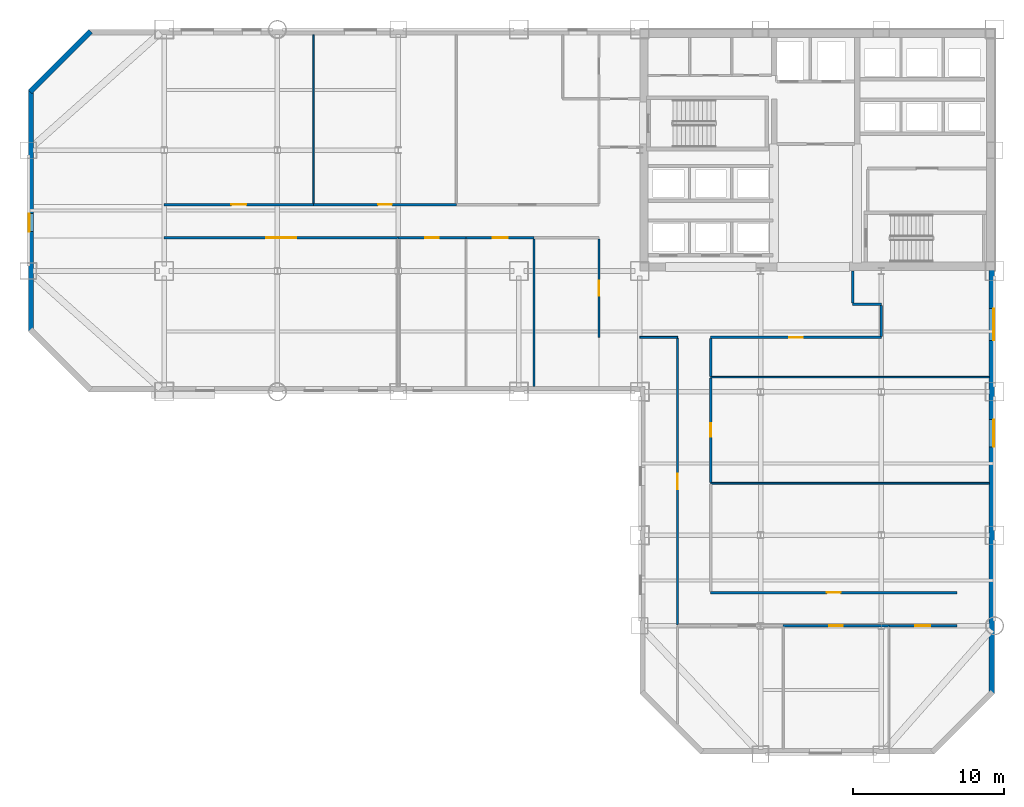
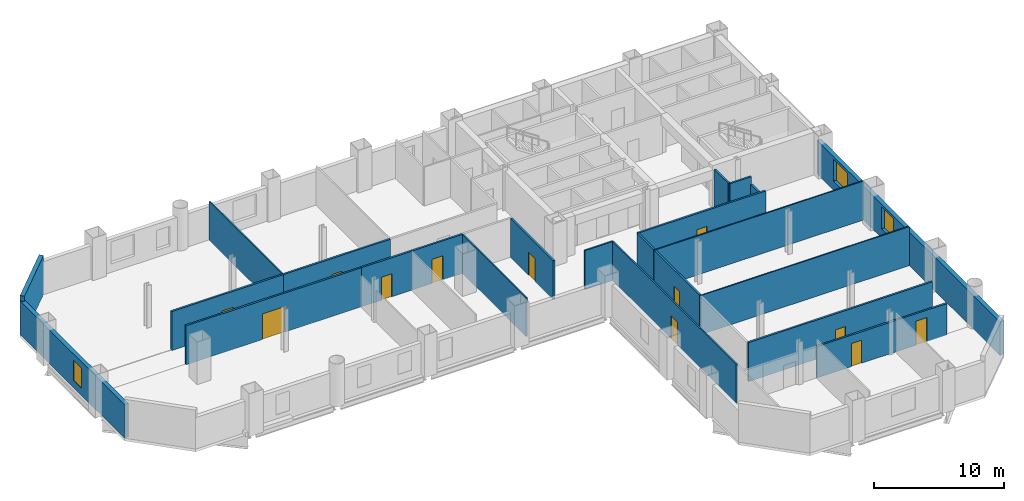
# One storey, part 5 of 9: 24 walls, 12 doors, 3 windows, 15 openings.
"""IFC4 building model written with IfcOpenShell, lengths in metres."""

from ifc_helpers import new_model, si_unit, direction, frame, frame_2d, origin, place, context, subcontext, project, spatial, rectangle, extrude, material, layer, layer_set, type_object, element, fill, save


model = new_model("IFC4")

# Units and contexts
model_context = context("Model", 3, precision=1e-05, world=origin(), true_north=direction((0.0, 1.0)))
body_context = subcontext(model_context, "Body", "Model", "MODEL_VIEW")
ifc_project = project(units=[si_unit("LENGTHUNIT", "METRE"), si_unit("AREAUNIT", "SQUARE_METRE"), si_unit("VOLUMEUNIT", "CUBIC_METRE"), si_unit("PLANEANGLEUNIT", "RADIAN"), si_unit("MASSUNIT", "GRAM", prefix="KILO")], contexts=[model_context])

# Site, building, storey
site_placement = place(None, origin())
site = spatial("IfcSite", under=ifc_project, at=site_placement, CompositionType="ELEMENT")
building_placement = place(site_placement, origin())
building = spatial("IfcBuilding", under=site, at=building_placement, Name="Qianrong Seaharbour Tower", CompositionType="ELEMENT")
storey_placement = place(building_placement, frame((0.0, 0.0, 104.199951171875)))
storey = spatial("IfcBuildingStorey", under=building, at=storey_placement, Name="L25", CompositionType="ELEMENT", Elevation=104.199951171875)

# Wall, opening, door
ifc_material_1 = material(Name="Fire-rated acoustic gypsum board partition")
ifc_layer_1 = layer(ifc_material_1, 0.1650390625)
ifc_layer_set_1 = layer_set([ifc_layer_1], Name="Fire-rated acoustic gypsum board partition")
wall_type_1 = type_object("IfcWallType", Name="WALL-CORR-PART-165", PredefinedType="PARTITIONING", material=ifc_layer_set_1)
wall_1_placement = place(storey_placement, frame((9.0, 40.39990234375, 0.0), z_axis=(0.0, 0.0, 1.0), x_axis=(1.0, 0.0, 0.0)))
wall_1 = element("IfcWall", 1, at=wall_1_placement, inside=storey, type_object=wall_type_1, Name="L25 Interior Partition Wall 015", PredefinedType="PARTITIONING", context=body_context, shape_type="SweptSolid", body=[
    extrude(rectangle(XDim=9.89990234375, YDim=0.1650390625, at=frame_2d((4.949951171875, 0.0))), origin(), (0.0, 0.0, 1.0), 3.650146484375),
])
opening_1_placement = place(wall_1_placement, frame((4.449951171875, 0.0, 0.0)))
opening_1 = element("IfcOpeningElement", 2, at=opening_1_placement, cuts=wall_1, Name="Opening DO-01", PredefinedType="OPENING", context=body_context, shape_type="SweptSolid", body=[
    extrude(rectangle(XDim=1.0, YDim=2.14990234375, at=frame_2d((0.5, 1.074951171875))), frame((0.0, 0.092529296875, 0.0), z_axis=(0.0, -1.0, 0.0), x_axis=(1.0, 0.0, 0.0)), (0.0, 0.0, 1.0), 0.18505859375),
])
ifc_material_2 = material(Name="Acoustic timber and galvanized steel fire door assembly", Category="steel")
door_type_1 = type_object("IfcDoorType", Name="DOOR-OFFICE-1000x2150", OperationType="NOTDEFINED", PredefinedType="DOOR", material=ifc_material_2)
door_1_placement = place(opening_1_placement, origin())
door_1 = element("IfcDoor", 3, at=door_1_placement, inside=storey, type_object=door_type_1, Name="L25 Legal Support Open-Plan Office Door", OperationType="SINGLE_SWING_RIGHT", OverallHeight=2.14990234375, OverallWidth=1.0, PredefinedType="DOOR", context=body_context, shape_type="SweptSolid", body=[
    extrude(rectangle(XDim=1.0, YDim=2.14990234375, at=frame_2d((0.5, 1.074951171875))), frame((0.0, 0.02490234375, 0.0), z_axis=(0.0, -1.0, 0.0), x_axis=(1.0, 0.0, 0.0)), (0.0, 0.0, 1.0), 0.050048828125),
])
fill(opening_1, door_1)

wall_2_placement = place(storey_placement, frame((18.89990234375, 40.39990234375, 0.0), z_axis=(0.0, 0.0, 1.0), x_axis=(1.0, 0.0, 0.0)))
wall_2 = element("IfcWall", 4, at=wall_2_placement, inside=storey, type_object=wall_type_1, Name="L25 Interior Partition Wall 016", PredefinedType="PARTITIONING", context=body_context, shape_type="SweptSolid", body=[
    extrude(rectangle(XDim=9.4501953125, YDim=0.1650390625, at=frame_2d((4.72509765625, 0.0))), origin(), (0.0, 0.0, 1.0), 3.650146484375),
])
opening_2_placement = place(wall_2_placement, frame((4.27490234375, 0.0, 0.0)))
opening_2 = element("IfcOpeningElement", 5, at=opening_2_placement, cuts=wall_2, Name="Opening DS-01", PredefinedType="OPENING", context=body_context, shape_type="SweptSolid", body=[
    extrude(rectangle(XDim=0.89990234375, YDim=2.14990234375, at=frame_2d((0.449951171875, 1.074951171875))), frame((0.0, 0.092529296875, 0.0), z_axis=(0.0, -1.0, 0.0), x_axis=(1.0, 0.0, 0.0)), (0.0, 0.0, 1.0), 0.18505859375),
])
door_type_2 = type_object("IfcDoorType", Name="DOOR-STORE-900x2150", OperationType="NOTDEFINED", PredefinedType="DOOR", material=ifc_material_2)
door_2_placement = place(opening_2_placement, origin())
door_2 = element("IfcDoor", 6, at=door_2_placement, inside=storey, type_object=door_type_2, Name="L25 Corporate Archive Room 1 Door", OperationType="SINGLE_SWING_LEFT", OverallHeight=2.14990234375, OverallWidth=0.89990234375, PredefinedType="DOOR", context=body_context, shape_type="SweptSolid", body=[
    extrude(rectangle(XDim=0.89990234375, YDim=2.14990234375, at=frame_2d((0.449951171875, 1.074951171875))), frame((0.0, 0.02490234375, 0.0), z_axis=(0.0, -1.0, 0.0), x_axis=(1.0, 0.0, 0.0)), (0.0, 0.0, 1.0), 0.050048828125),
])
fill(opening_2, door_2)

wall_3_placement = place(storey_placement, frame((24.5, 38.199951171875, 0.0), z_axis=(0.0, 0.0, 1.0), x_axis=(-1.0, 0.0, 0.0)))
wall_3 = element("IfcWall", 7, at=wall_3_placement, inside=storey, type_object=wall_type_1, Name="L25 Interior Partition Wall 018", PredefinedType="PARTITIONING", context=body_context, shape_type="SweptSolid", body=[
    extrude(rectangle(XDim=15.5, YDim=0.1650390625, at=frame_2d((7.75, 0.0))), origin(), (0.0, 0.0, 1.0), 3.650146484375),
])
opening_3_placement = place(wall_3_placement, frame((6.75, 0.0, 0.0)))
opening_3 = element("IfcOpeningElement", 8, at=opening_3_placement, cuts=wall_3, Name="Opening DA-01", PredefinedType="OPENING", context=body_context, shape_type="SweptSolid", body=[
    extrude(rectangle(XDim=2.0, YDim=2.39990234375, at=frame_2d((1.0, 1.199951171875))), frame((0.0, 0.092529296875, 0.0), z_axis=(0.0, -1.0, 0.0), x_axis=(1.0, 0.0, 0.0)), (0.0, 0.0, 1.0), 0.18505859375),
])
door_type_3 = type_object("IfcDoorType", Name="DOOR-AUD-PAIR-2000x2400", OperationType="DOUBLE_DOOR_SINGLE_SWING", PredefinedType="DOOR", material=ifc_material_2)
door_3_placement = place(opening_3_placement, origin())
door_3 = element("IfcDoor", 9, at=door_3_placement, inside=storey, type_object=door_type_3, Name="L25 Maritime Tribunal Hearing Hall Door", OperationType="DOUBLE_DOOR_SINGLE_SWING", OverallHeight=2.39990234375, OverallWidth=2.0, PredefinedType="DOOR", context=body_context, shape_type="SweptSolid", body=[
    extrude(rectangle(XDim=2.0, YDim=2.39990234375, at=frame_2d((1.0, 1.199951171875))), frame((0.0, 0.02490234375, 0.0), z_axis=(0.0, -1.0, 0.0), x_axis=(1.0, 0.0, 0.0)), (0.0, 0.0, 1.0), 0.050048828125),
])
fill(opening_3, door_3)

wall_4_placement = place(storey_placement, frame((29.0, 38.199951171875, 0.0), z_axis=(0.0, 0.0, 1.0), x_axis=(-1.0, 0.0, 0.0)))
wall_4 = element("IfcWall", 10, at=wall_4_placement, inside=storey, type_object=wall_type_1, Name="L25 Interior Partition Wall 019", PredefinedType="PARTITIONING", context=body_context, shape_type="SweptSolid", body=[
    extrude(rectangle(XDim=4.5, YDim=0.1650390625, at=frame_2d((2.25, 0.0))), origin(), (0.0, 0.0, 1.0), 3.650146484375),
])
opening_4_placement = place(wall_4_placement, frame((1.800048828125, 0.0, 0.0)))
opening_4 = element("IfcOpeningElement", 11, at=opening_4_placement, cuts=wall_4, Name="Opening DS-01", PredefinedType="OPENING", context=body_context, shape_type="SweptSolid", body=[
    extrude(rectangle(XDim=0.89990234375, YDim=2.14990234375, at=frame_2d((0.449951171875, 1.074951171875))), frame((0.0, 0.092529296875, 0.0), z_axis=(0.0, -1.0, 0.0), x_axis=(1.0, 0.0, 0.0)), (0.0, 0.0, 1.0), 0.18505859375),
])
door_4_placement = place(opening_4_placement, origin())
door_4 = element("IfcDoor", 12, at=door_4_placement, inside=storey, type_object=door_type_2, Name="L25 Evidence Vault Store 1 Door", OperationType="SINGLE_SWING_LEFT", OverallHeight=2.14990234375, OverallWidth=0.89990234375, PredefinedType="DOOR", context=body_context, shape_type="SweptSolid", body=[
    extrude(rectangle(XDim=0.89990234375, YDim=2.14990234375, at=frame_2d((0.449951171875, 1.074951171875))), frame((0.0, 0.02490234375, 0.0), z_axis=(0.0, -1.0, 0.0), x_axis=(1.0, 0.0, 0.0)), (0.0, 0.0, 1.0), 0.050048828125),
])
fill(opening_4, door_4)

wall_5_placement = place(storey_placement, frame((33.5, 38.199951171875, 0.0), z_axis=(0.0, 0.0, 1.0), x_axis=(-1.0, 0.0, 0.0)))
wall_5 = element("IfcWall", 13, at=wall_5_placement, inside=storey, type_object=wall_type_1, Name="L25 Interior Partition Wall 020", PredefinedType="PARTITIONING", context=body_context, shape_type="SweptSolid", body=[
    extrude(rectangle(XDim=4.5, YDim=0.1650390625, at=frame_2d((2.25, 0.0))), origin(), (0.0, 0.0, 1.0), 3.650146484375),
])
opening_5_placement = place(wall_5_placement, frame((1.760009765625, 0.0, 0.0)))
opening_5 = element("IfcOpeningElement", 14, at=opening_5_placement, cuts=wall_5, Name="Opening DE-01", PredefinedType="OPENING", context=body_context, shape_type="SweptSolid", body=[
    extrude(rectangle(XDim=0.97998046875, YDim=2.25, at=frame_2d((0.489990234375, 1.125))), frame((0.0, 0.092529296875, 0.0), z_axis=(0.0, -1.0, 0.0), x_axis=(1.0, 0.0, 0.0)), (0.0, 0.0, 1.0), 0.18505859375),
])
door_type_4 = type_object("IfcDoorType", Name="DOOR-EXEC-980x2250", OperationType="NOTDEFINED", PredefinedType="DOOR", material=ifc_material_2)
door_5_placement = place(opening_5_placement, origin())
door_5 = element("IfcDoor", 15, at=door_5_placement, inside=storey, type_object=door_type_4, Name="L25 Partner Chambers Office 2 Door", OperationType="SINGLE_SWING_RIGHT", OverallHeight=2.25, OverallWidth=0.97998046875, PredefinedType="DOOR", context=body_context, shape_type="SweptSolid", body=[
    extrude(rectangle(XDim=0.97998046875, YDim=2.25, at=frame_2d((0.489990234375, 1.125))), frame((0.0, 0.02490234375, 0.0), z_axis=(0.0, -1.0, 0.0), x_axis=(1.0, 0.0, 0.0)), (0.0, 0.0, 1.0), 0.050048828125),
])
fill(opening_5, door_5)

wall_6_placement = place(storey_placement, frame((37.800048828125, 31.60009765625, 0.0), z_axis=(0.0, 0.0, 1.0), x_axis=(0.0, 1.0, 0.0)))
wall_6 = element("IfcWall", 16, at=wall_6_placement, inside=storey, type_object=wall_type_1, Name="L25 Interior Partition Wall 023", PredefinedType="PARTITIONING", context=body_context, shape_type="SweptSolid", body=[
    extrude(rectangle(XDim=6.525390625, YDim=0.1650390625, at=frame_2d((3.2626953125, 0.0))), origin(), (0.0, 0.0, 1.0), 3.650146484375),
])
opening_6_placement = place(wall_6_placement, frame((2.7626953125, 0.0, 0.0)))
opening_6 = element("IfcOpeningElement", 17, at=opening_6_placement, cuts=wall_6, Name="Opening DO-01", PredefinedType="OPENING", context=body_context, shape_type="SweptSolid", body=[
    extrude(rectangle(XDim=1.0, YDim=2.14990234375, at=frame_2d((0.5, 1.074951171875))), frame((0.0, 0.092529296875, 0.0), z_axis=(0.0, -1.0, 0.0), x_axis=(1.0, 0.0, 0.0)), (0.0, 0.0, 1.0), 0.18505859375),
])
door_6_placement = place(opening_6_placement, origin())
door_6 = element("IfcDoor", 18, at=door_6_placement, inside=storey, type_object=door_type_1, Name="L25 Focus Room 3 Door", OperationType="SINGLE_SWING_LEFT", OverallHeight=2.14990234375, OverallWidth=1.0, PredefinedType="DOOR", context=body_context, shape_type="SweptSolid", body=[
    extrude(rectangle(XDim=1.0, YDim=2.14990234375, at=frame_2d((0.5, 1.074951171875))), frame((0.0, 0.02490234375, 0.0), z_axis=(0.0, -1.0, 0.0), x_axis=(1.0, 0.0, 0.0)), (0.0, 0.0, 1.0), 0.050048828125),
])
fill(opening_6, door_6)

# Walls
wall_7_placement = place(storey_placement, frame((54.60009765625, 36.0, 0.0), z_axis=(0.0, 0.0, 1.0), x_axis=(0.0, -1.0, 0.0)))
element("IfcWall", 19, at=wall_7_placement, inside=storey, type_object=wall_type_1, Name="L25 Interior Partition Wall 024", PredefinedType="PARTITIONING", context=body_context, shape_type="SweptSolid", body=[
    extrude(rectangle(XDim=2.12548828125, YDim=0.1650390625, at=frame_2d((1.062744140625, 0.0))), origin(), (0.0, 0.0, 1.0), 3.650146484375),
])
wall_8_placement = place(storey_placement, frame((54.60009765625, 33.800048828125, 0.0), z_axis=(0.0, 0.0, 1.0), x_axis=(1.0, 0.0, 0.0)))
element("IfcWall", 20, at=wall_8_placement, inside=storey, type_object=wall_type_1, Name="L25 Interior Partition Wall 025", PredefinedType="PARTITIONING", context=body_context, shape_type="SweptSolid", body=[
    extrude(rectangle(XDim=1.89990234375, YDim=0.1650390625, at=frame_2d((0.949951171875, 0.0))), origin(), (0.0, 0.0, 1.0), 3.650146484375),
])
wall_9_placement = place(storey_placement, frame((56.5, 33.7255859375, 0.0), z_axis=(0.0, 0.0, 1.0), x_axis=(0.0, -1.0, 0.0)))
element("IfcWall", 21, at=wall_9_placement, inside=storey, type_object=wall_type_1, Name="L25 Interior Partition Wall 026", PredefinedType="PARTITIONING", context=body_context, shape_type="SweptSolid", body=[
    extrude(rectangle(XDim=2.051025390625, YDim=0.1650390625, at=frame_2d((1.025390625, 0.0))), origin(), (0.0, 0.0, 1.0), 2.942138671875),
])

# Wall, opening, door
wall_10_placement = place(storey_placement, frame((56.5, 31.60009765625, 0.0), z_axis=(0.0, 0.0, 1.0), x_axis=(-1.0, 0.0, 0.0)))
wall_10 = element("IfcWall", 22, at=wall_10_placement, inside=storey, type_object=wall_type_1, Name="L25 Interior Partition Wall 027", PredefinedType="PARTITIONING", context=body_context, shape_type="SweptSolid", body=[
    extrude(rectangle(XDim=11.300048828125, YDim=0.1650390625, at=frame_2d((5.64990234375, 0.0))), origin(), (0.0, 0.0, 1.0), 3.650146484375),
])
opening_7_placement = place(wall_10_placement, frame((5.199951171875, 0.0, 0.0)))
opening_7 = element("IfcOpeningElement", 23, at=opening_7_placement, cuts=wall_10, Name="Opening DS-01", PredefinedType="OPENING", context=body_context, shape_type="SweptSolid", body=[
    extrude(rectangle(XDim=0.89990234375, YDim=2.14990234375, at=frame_2d((0.449951171875, 1.074951171875))), frame((0.0, 0.092529296875, 0.0), z_axis=(0.0, -1.0, 0.0), x_axis=(1.0, 0.0, 0.0)), (0.0, 0.0, 1.0), 0.18505859375),
])
door_7_placement = place(opening_7_placement, origin())
door_7 = element("IfcDoor", 24, at=door_7_placement, inside=storey, type_object=door_type_2, Name="L25 Document Registry Store 3 Door", OperationType="SINGLE_SWING_RIGHT", OverallHeight=2.14990234375, OverallWidth=0.89990234375, PredefinedType="DOOR", context=body_context, shape_type="SweptSolid", body=[
    extrude(rectangle(XDim=0.89990234375, YDim=2.14990234375, at=frame_2d((0.449951171875, 1.074951171875))), frame((0.0, 0.02490234375, 0.0), z_axis=(0.0, -1.0, 0.0), x_axis=(1.0, 0.0, 0.0)), (0.0, 0.0, 1.0), 0.050048828125),
])
fill(opening_7, door_7)

wall_11_placement = place(storey_placement, frame((45.199951171875, 28.923095703125, 0.0), z_axis=(0.0, 0.0, 1.0), x_axis=(0.0, -1.0, 0.0)))
wall_11 = element("IfcWall", 25, at=wall_11_placement, inside=storey, type_object=wall_type_1, Name="L25 Interior Partition Wall 030", PredefinedType="PARTITIONING", context=body_context, shape_type="SweptSolid", body=[
    extrude(rectangle(XDim=6.93603515625, YDim=0.1650390625, at=frame_2d((3.468017578125, 0.0))), origin(), (0.0, 0.0, 1.0), 3.650146484375),
])
opening_8_placement = place(wall_11_placement, frame((3.01806640625, 0.0, 0.0)))
opening_8 = element("IfcOpeningElement", 26, at=opening_8_placement, cuts=wall_11, Name="Opening DS-01", PredefinedType="OPENING", context=body_context, shape_type="SweptSolid", body=[
    extrude(rectangle(XDim=0.89990234375, YDim=2.14990234375, at=frame_2d((0.449951171875, 1.074951171875))), frame((0.0, 0.092529296875, 0.0), z_axis=(0.0, -1.0, 0.0), x_axis=(1.0, 0.0, 0.0)), (0.0, 0.0, 1.0), 0.18505859375),
])
door_8_placement = place(opening_8_placement, origin())
door_8 = element("IfcDoor", 27, at=door_8_placement, inside=storey, type_object=door_type_2, Name="L25 Closed File Store 2 Door", OperationType="SINGLE_SWING_LEFT", OverallHeight=2.14990234375, OverallWidth=0.89990234375, PredefinedType="DOOR", context=body_context, shape_type="SweptSolid", body=[
    extrude(rectangle(XDim=0.89990234375, YDim=2.14990234375, at=frame_2d((0.449951171875, 1.074951171875))), frame((0.0, 0.02490234375, 0.0), z_axis=(0.0, -1.0, 0.0), x_axis=(1.0, 0.0, 0.0)), (0.0, 0.0, 1.0), 0.050048828125),
])
fill(opening_8, door_8)

# Wall
wall_12_placement = place(storey_placement, frame((45.199951171875, 31.525390625, 0.0), z_axis=(0.0, 0.0, 1.0), x_axis=(0.0, -1.0, 0.0)))
element("IfcWall", 28, at=wall_12_placement, inside=storey, type_object=wall_type_1, Name="L25 Interior Partition Wall 031", PredefinedType="PARTITIONING", context=body_context, shape_type="SweptSolid", body=[
    extrude(rectangle(XDim=2.50830078125, YDim=0.1650390625, at=frame_2d((1.254150390625, 0.0))), origin(), (0.0, 0.0, 1.0), 3.650146484375),
])

# Wall, opening, door
wall_13_placement = place(storey_placement, frame((45.199951171875, 14.699951171875, 0.0), z_axis=(0.0, 0.0, 1.0), x_axis=(1.0, 0.0, 0.0)))
wall_13 = element("IfcWall", 29, at=wall_13_placement, inside=storey, type_object=wall_type_1, Name="L25 Interior Partition Wall 034", PredefinedType="PARTITIONING", context=body_context, shape_type="SweptSolid", body=[
    extrude(rectangle(XDim=16.300048828125, YDim=0.1650390625, at=frame_2d((8.14990234375, 0.0))), origin(), (0.0, 0.0, 1.0), 3.650146484375),
])
opening_9_placement = place(wall_13_placement, frame((7.699951171875, 0.0, 0.0)))
opening_9 = element("IfcOpeningElement", 30, at=opening_9_placement, cuts=wall_13, Name="Opening DS-01", PredefinedType="OPENING", context=body_context, shape_type="SweptSolid", body=[
    extrude(rectangle(XDim=0.89990234375, YDim=2.14990234375, at=frame_2d((0.449951171875, 1.074951171875))), frame((0.0, 0.092529296875, 0.0), z_axis=(0.0, -1.0, 0.0), x_axis=(1.0, 0.0, 0.0)), (0.0, 0.0, 1.0), 0.18505859375),
])
door_9_placement = place(opening_9_placement, origin())
door_9 = element("IfcDoor", 31, at=door_9_placement, inside=storey, type_object=door_type_2, Name="L25 Docket Archive Store 1 Door", OperationType="SINGLE_SWING_RIGHT", OverallHeight=2.14990234375, OverallWidth=0.89990234375, PredefinedType="DOOR", context=body_context, shape_type="SweptSolid", body=[
    extrude(rectangle(XDim=0.89990234375, YDim=2.14990234375, at=frame_2d((0.449951171875, 1.074951171875))), frame((0.0, 0.02490234375, 0.0), z_axis=(0.0, -1.0, 0.0), x_axis=(1.0, 0.0, 0.0)), (0.0, 0.0, 1.0), 0.050048828125),
])
fill(opening_9, door_9)

wall_14_placement = place(storey_placement, frame((57.0, 12.5, 0.0), z_axis=(0.0, 0.0, 1.0), x_axis=(-1.0, 0.0, 0.0)))
wall_14 = element("IfcWall", 32, at=wall_14_placement, inside=storey, type_object=wall_type_1, Name="L25 Interior Partition Wall 036", PredefinedType="PARTITIONING", context=body_context, shape_type="SweptSolid", body=[
    extrude(rectangle(XDim=7.0, YDim=0.1650390625, at=frame_2d((3.5, 0.0))), origin(), (0.0, 0.0, 1.0), 2.942138671875),
])
opening_10_placement = place(wall_14_placement, frame((3.050048828125, 0.0, 0.0)))
opening_10 = element("IfcOpeningElement", 33, at=opening_10_placement, cuts=wall_14, Name="Opening DS-01", PredefinedType="OPENING", context=body_context, shape_type="SweptSolid", body=[
    extrude(rectangle(XDim=0.89990234375, YDim=2.14990234375, at=frame_2d((0.449951171875, 1.074951171875))), frame((0.0, 0.092529296875, 0.0), z_axis=(0.0, -1.0, 0.0), x_axis=(1.0, 0.0, 0.0)), (0.0, 0.0, 1.0), 0.18505859375),
])
door_10_placement = place(opening_10_placement, origin())
door_10 = element("IfcDoor", 34, at=door_10_placement, inside=storey, type_object=door_type_2, Name="L25 Corporate Archive Room 2 Door", OperationType="SINGLE_SWING_LEFT", OverallHeight=2.14990234375, OverallWidth=0.89990234375, PredefinedType="DOOR", context=body_context, shape_type="SweptSolid", body=[
    extrude(rectangle(XDim=0.89990234375, YDim=2.14990234375, at=frame_2d((0.449951171875, 1.074951171875))), frame((0.0, 0.02490234375, 0.0), z_axis=(0.0, -1.0, 0.0), x_axis=(1.0, 0.0, 0.0)), (0.0, 0.0, 1.0), 0.050048828125),
])
fill(opening_10, door_10)

wall_15_placement = place(storey_placement, frame((61.5, 12.5, 0.0), z_axis=(0.0, 0.0, 1.0), x_axis=(-1.0, 0.0, 0.0)))
wall_15 = element("IfcWall", 35, at=wall_15_placement, inside=storey, type_object=wall_type_1, Name="L25 Interior Partition Wall 037", PredefinedType="PARTITIONING", context=body_context, shape_type="SweptSolid", body=[
    extrude(rectangle(XDim=4.5, YDim=0.1650390625, at=frame_2d((2.25, 0.0))), origin(), (0.0, 0.0, 1.0), 2.942138671875),
])
opening_11_placement = place(wall_15_placement, frame((1.760009765625, 0.0, 0.0)))
opening_11 = element("IfcOpeningElement", 36, at=opening_11_placement, cuts=wall_15, Name="Opening DE-01", PredefinedType="OPENING", context=body_context, shape_type="SweptSolid", body=[
    extrude(rectangle(XDim=0.97998046875, YDim=2.25, at=frame_2d((0.489990234375, 1.125))), frame((0.0, 0.092529296875, 0.0), z_axis=(0.0, -1.0, 0.0), x_axis=(1.0, 0.0, 0.0)), (0.0, 0.0, 1.0), 0.18505859375),
])
door_11_placement = place(opening_11_placement, origin())
door_11 = element("IfcDoor", 37, at=door_11_placement, inside=storey, type_object=door_type_4, Name="L25 Senior Partner Office 3 Door", OperationType="SINGLE_SWING_RIGHT", OverallHeight=2.25, OverallWidth=0.97998046875, PredefinedType="DOOR", context=body_context, shape_type="SweptSolid", body=[
    extrude(rectangle(XDim=0.97998046875, YDim=2.25, at=frame_2d((0.489990234375, 1.125))), frame((0.0, 0.02490234375, 0.0), z_axis=(0.0, -1.0, 0.0), x_axis=(1.0, 0.0, 0.0)), (0.0, 0.0, 1.0), 0.050048828125),
])
fill(opening_11, door_11)

# Walls
ifc_material_3 = material(Name="Demountable aluminium-framed acoustic office partition", Category="aluminium")
ifc_layer_2 = layer(ifc_material_3, 0.110107421875)
ifc_layer_set_2 = layer_set([ifc_layer_2], Name="Demountable aluminium-framed acoustic office partition")
wall_type_2 = type_object("IfcWallType", Name="WALL-DEMOUNT-110", PredefinedType="MOVABLE", material=ifc_layer_set_2)
wall_16_placement = place(storey_placement, frame((18.89990234375, 51.64794921875, 0.0), z_axis=(0.0, 0.0, 1.0), x_axis=(0.0, -1.0, 0.0)))
element("IfcWall", 38, at=wall_16_placement, inside=storey, type_object=wall_type_2, Name="L25 Interior Partition Wall 038", PredefinedType="MOVABLE", context=body_context, shape_type="SweptSolid", body=[
    extrude(rectangle(XDim=11.17333984375, YDim=0.110107421875, at=frame_2d((5.586669921875, 0.0))), origin(), (0.0, 0.0, 1.0), 3.650146484375),
])
wall_17_placement = place(storey_placement, frame((33.5, 38.12548828125, 0.0), z_axis=(0.0, 0.0, 1.0), x_axis=(0.0, -1.0, 0.0)))
element("IfcWall", 39, at=wall_17_placement, inside=storey, type_object=wall_type_2, Name="L25 Interior Partition Wall 042", PredefinedType="MOVABLE", context=body_context, shape_type="SweptSolid", body=[
    extrude(rectangle(XDim=9.7734375, YDim=0.110107421875, at=frame_2d((4.88671875, 0.0))), origin(), (0.0, 0.0, 1.0), 3.650146484375),
])
for number, where, z_axis, x_axis, name in (
    (40, (45.199951171875, 21.93994140625, 0.0), (0.0, 0.0, 1.0), (1.0, 0.0, 0.0), "L25 Interior Partition Wall 043"),
    (41, (45.199951171875, 28.969970703125, 0.0), (0.0, 0.0, 1.0), (1.0, 0.0, 0.0), "L25 Interior Partition Wall 044"),
):
    element("IfcWall", number, at=place(storey_placement, frame(where, z_axis=z_axis, x_axis=x_axis)), inside=storey, type_object=wall_type_2, Name=name, PredefinedType="MOVABLE", context=body_context, shape_type="SweptSolid", body=[
        extrude(rectangle(XDim=18.447998046875, YDim=0.110107421875, at=frame_2d((9.22412109375, 0.0))), origin(), (0.0, 0.0, 1.0), 3.650146484375),
    ])

# Wall, opening, window
ifc_material_4 = material(Name="Unitised red brick on Precast concrete C45/55", Category="masonry")
ifc_layer_3 = layer(ifc_material_4, 0.360107421875)
ifc_layer_set_3 = layer_set([ifc_layer_3], Name="Unitised red brick on Precast concrete C45/55")
wall_type_3 = type_object("IfcWallType", Name="WALL-EXT-BRICK-RED-360", PredefinedType="SOLIDWALL", material=ifc_layer_set_3)
wall_18_placement = place(storey_placement, frame((0.179931640625, 32.0, 0.0), z_axis=(0.0, 0.0, 1.0), x_axis=(0.0, 1.0, 0.0)))
wall_18 = element("IfcWall", 42, at=wall_18_placement, inside=storey, type_object=wall_type_3, Name="L25 Exterior Masonry Facade Wall WEST_TIP", PredefinedType="SOLIDWALL", context=body_context, shape_type="SweptSolid", body=[
    extrude(rectangle(XDim=16.0, YDim=0.360107421875, at=frame_2d((8.0, 0.0))), origin(), (0.0, 0.0, 1.0), 3.150146484375),
])
opening_12_placement = place(wall_18_placement, frame((6.60009765625, 0.0, 0.699951171875)))
opening_12 = element("IfcOpeningElement", 43, at=opening_12_placement, cuts=wall_18, Name="Opening WN-01", PredefinedType="OPENING", context=body_context, shape_type="SweptSolid", body=[
    extrude(rectangle(XDim=1.199951171875, YDim=1.85009765625, at=frame_2d((0.60009765625, 0.925048828125))), frame((0.0, 0.18994140625, 0.0), z_axis=(0.0, -1.0, 0.0), x_axis=(1.0, 0.0, 0.0)), (0.0, 0.0, 1.0), 0.380126953125),
])
ifc_material_5 = material(Name="Insulated low-e double glazing in thermally broken aluminium 6063-T6 frame", Category="aluminium")
window_type_1 = type_object("IfcWindowType", Name="WIN-PUNCH-1200x1850", PartitioningType="DOUBLE_PANEL_VERTICAL", PredefinedType="WINDOW", material=ifc_material_5)
window_1_placement = place(opening_12_placement, origin())
window_1 = element("IfcWindow", 44, at=window_1_placement, inside=storey, type_object=window_type_1, Name="L25 Deep-Set Punched Window 03.02", OverallHeight=1.85009765625, OverallWidth=1.199951171875, PartitioningType="DOUBLE_PANEL_VERTICAL", PredefinedType="WINDOW", context=body_context, shape_type="SweptSolid", body=[
    extrude(rectangle(XDim=1.199951171875, YDim=1.85009765625, at=frame_2d((0.60009765625, 0.925048828125))), frame((0.0, 0.150146484375, 0.0), z_axis=(0.0, -1.0, 0.0), x_axis=(1.0, 0.0, 0.0)), (0.0, 0.0, 1.0), 0.06005859375),
])
fill(opening_12, window_1)

# Wall
wall_19_placement = place(storey_placement, frame((0.127197265625, 47.872802734375, 0.0), z_axis=(0.0, 0.0, 1.0), x_axis=(0.707106781187, 0.707106781187, 0.0)))
element("IfcWall", 45, at=wall_19_placement, inside=storey, type_object=wall_type_3, Name="L25 Exterior Masonry Facade Wall E04", PredefinedType="SOLIDWALL", context=body_context, shape_type="SweptSolid", body=[
    extrude(rectangle(XDim=5.65673828125, YDim=0.360107421875, at=frame_2d((2.828369140625, 0.0))), origin(), (0.0, 0.0, 1.0), 3.650146484375),
])

# Wall, openings, windows
wall_20_placement = place(storey_placement, frame((63.820068359375, 36.050048828125, 0.0), z_axis=(0.0, 0.0, 1.0), x_axis=(0.0, -1.0, 0.0)))
wall_20 = element("IfcWall", 46, at=wall_20_placement, inside=storey, type_object=wall_type_3, Name="L25 Exterior Masonry Facade Wall EAST_WING", PredefinedType="SOLIDWALL", context=body_context, shape_type="SweptSolid", body=[
    extrude(rectangle(XDim=28.050048828125, YDim=0.360107421875, at=frame_2d((14.02490234375, 0.0))), origin(), (0.0, 0.0, 1.0), 3.150146484375),
])
opening_13_placement = place(wall_20_placement, frame((2.550048828125, 0.0, 0.85009765625)))
opening_13 = element("IfcOpeningElement", 47, at=opening_13_placement, cuts=wall_20, Name="Opening WN-06", PredefinedType="OPENING", context=body_context, shape_type="SweptSolid", body=[
    extrude(rectangle(XDim=2.10009765625, YDim=2.050048828125, at=frame_2d((1.050048828125, 1.02490234375))), frame((0.0, 0.18994140625, 0.0), z_axis=(0.0, -1.0, 0.0), x_axis=(1.0, 0.0, 0.0)), (0.0, 0.0, 1.0), 0.380126953125),
])
opening_14_placement = place(wall_20_placement, frame((9.89990234375, 0.0, 0.85009765625)))
opening_14 = element("IfcOpeningElement", 48, at=opening_14_placement, cuts=wall_20, Name="Opening WN-05", PredefinedType="OPENING", context=body_context, shape_type="SweptSolid", body=[
    extrude(rectangle(XDim=1.800048828125, YDim=2.050048828125, at=frame_2d((0.89990234375, 1.02490234375))), frame((0.0, 0.18994140625, 0.0), z_axis=(0.0, -1.0, 0.0), x_axis=(1.0, 0.0, 0.0)), (0.0, 0.0, 1.0), 0.380126953125),
])
window_type_2 = type_object("IfcWindowType", Name="WIN-PUNCH-1800x2050", PartitioningType="TRIPLE_PANEL_VERTICAL", PredefinedType="WINDOW", material=ifc_material_5)
window_2_placement = place(opening_14_placement, origin())
window_2 = element("IfcWindow", 49, at=window_2_placement, inside=storey, type_object=window_type_2, Name="L25 Deep-Set Punched Window 06.03", OverallHeight=2.050048828125, OverallWidth=1.800048828125, PartitioningType="TRIPLE_PANEL_VERTICAL", PredefinedType="WINDOW", context=body_context, shape_type="SweptSolid", body=[
    extrude(rectangle(XDim=1.800048828125, YDim=2.050048828125, at=frame_2d((0.89990234375, 1.02490234375))), frame((0.0, 0.150146484375, 0.0), z_axis=(0.0, -1.0, 0.0), x_axis=(1.0, 0.0, 0.0)), (0.0, 0.0, 1.0), 0.06005859375),
])
fill(opening_14, window_2)
window_type_3 = type_object("IfcWindowType", Name="WIN-PUNCH-2100x2050", PartitioningType="TRIPLE_PANEL_VERTICAL", PredefinedType="WINDOW", material=ifc_material_5)
window_3_placement = place(opening_13_placement, origin())
window_3 = element("IfcWindow", 50, at=window_3_placement, inside=storey, type_object=window_type_3, Name="L25 Deep-Set Punched Window 06.01", OverallHeight=2.050048828125, OverallWidth=2.10009765625, PartitioningType="TRIPLE_PANEL_VERTICAL", PredefinedType="WINDOW", context=body_context, shape_type="SweptSolid", body=[
    extrude(rectangle(XDim=2.10009765625, YDim=2.050048828125, at=frame_2d((1.050048828125, 1.02490234375))), frame((0.0, 0.150146484375, 0.0), z_axis=(0.0, -1.0, 0.0), x_axis=(1.0, 0.0, 0.0)), (0.0, 0.0, 1.0), 0.06005859375),
])
fill(opening_13, window_3)

# Wall
ifc_material_6 = material(Name="Water-resistant cement board sanitary partition")
ifc_layer_4 = layer(ifc_material_6, 0.1298828125)
ifc_layer_set_4 = layer_set([ifc_layer_4], Name="Water-resistant cement board sanitary partition")
wall_type_4 = type_object("IfcWallType", Name="WALL-WET-PART-130", PredefinedType="PARTITIONING", material=ifc_layer_set_4)
wall_21_placement = place(storey_placement, frame((43.0, 31.60009765625, 0.0), z_axis=(0.0, 0.0, 1.0), x_axis=(-1.0, 0.0, 0.0)))
element("IfcWall", 51, at=wall_21_placement, inside=storey, type_object=wall_type_4, Name="L25 Interior Partition Wall 028", PredefinedType="PARTITIONING", context=body_context, shape_type="SweptSolid", body=[
    extrude(rectangle(XDim=2.5, YDim=0.1298828125, at=frame_2d((1.25, 0.0))), origin(), (0.0, 0.0, 1.0), 3.650146484375),
])

# Wall, opening, door
wall_22_placement = place(storey_placement, frame((43.0, 12.574462890625, 0.0), z_axis=(0.0, 0.0, 1.0), x_axis=(0.0, 1.0, 0.0)))
wall_22 = element("IfcWall", 52, at=wall_22_placement, inside=storey, type_object=wall_type_4, Name="L25 Interior Partition Wall 032", PredefinedType="PARTITIONING", context=body_context, shape_type="SweptSolid", body=[
    extrude(rectangle(XDim=18.968505859375, YDim=0.1298828125, at=frame_2d((9.484375, 0.0))), origin(), (0.0, 0.0, 1.0), 3.650146484375),
])
opening_15_placement = place(wall_22_placement, frame((8.984130859375, 0.0, 0.0)))
opening_15 = element("IfcOpeningElement", 53, at=opening_15_placement, cuts=wall_22, Name="Opening DO-01", PredefinedType="OPENING", context=body_context, shape_type="SweptSolid", body=[
    extrude(rectangle(XDim=1.0, YDim=2.14990234375, at=frame_2d((0.5, 1.074951171875))), frame((0.0, 0.074951171875, 0.0), z_axis=(0.0, -1.0, 0.0), x_axis=(1.0, 0.0, 0.0)), (0.0, 0.0, 1.0), 0.14990234375),
])
door_12_placement = place(opening_15_placement, origin())
door_12 = element("IfcDoor", 54, at=door_12_placement, inside=storey, type_object=door_type_1, Name="L25 Wet Pantry Door", OperationType="SINGLE_SWING_LEFT", OverallHeight=2.14990234375, OverallWidth=1.0, PredefinedType="DOOR", context=body_context, shape_type="SweptSolid", body=[
    extrude(rectangle(XDim=1.0, YDim=2.14990234375, at=frame_2d((0.5, 1.074951171875))), frame((0.0, 0.02490234375, 0.0), z_axis=(0.0, -1.0, 0.0), x_axis=(1.0, 0.0, 0.0)), (0.0, 0.0, 1.0), 0.050048828125),
])
fill(opening_15, door_12)

save(model, "model.ifc")
